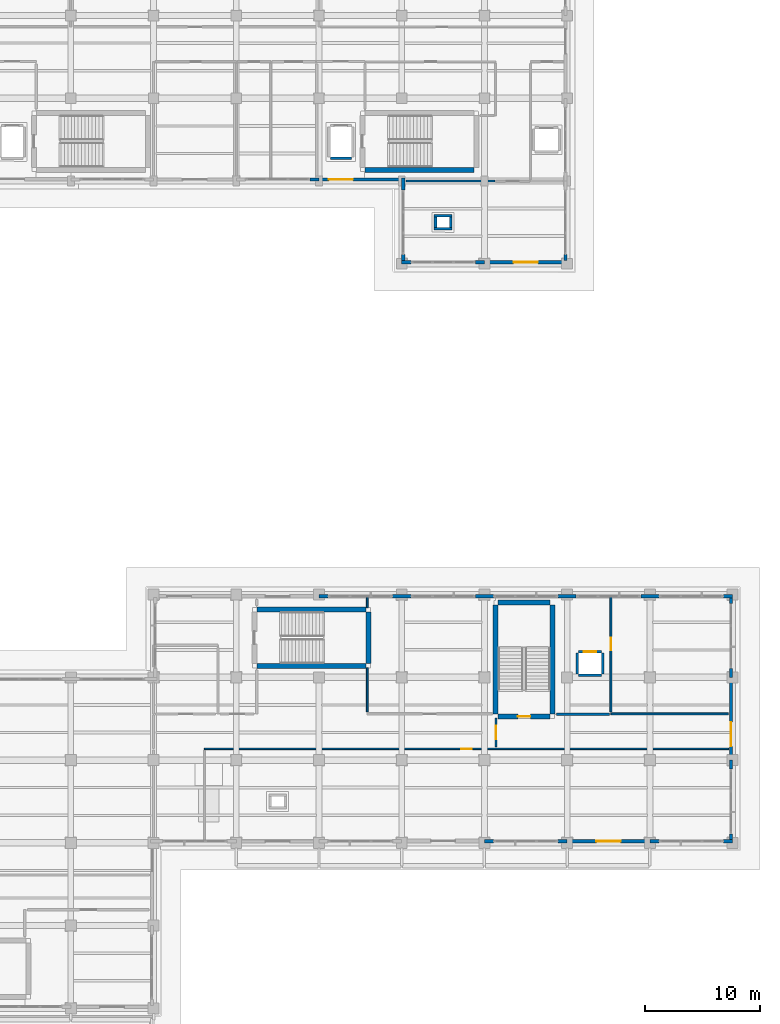
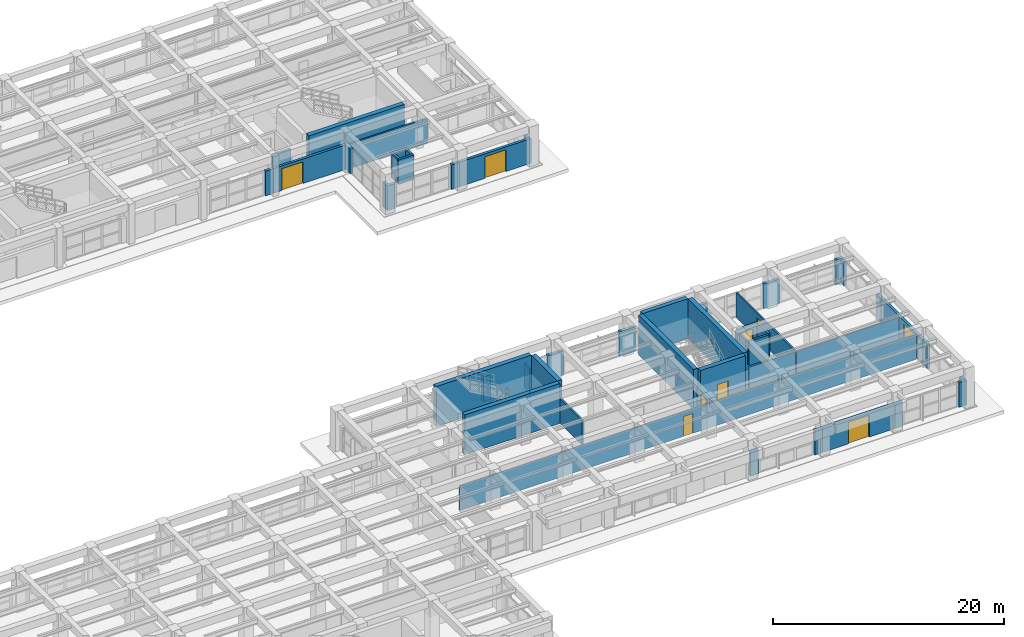
# One storey, part 47 of 64: 49 walls, 9 doors, 9 openings.
"""IFC4 building model written with IfcOpenShell, lengths in metres."""

from ifc_helpers import new_model, si_unit, direction, frame, frame_2d, origin, place, context, subcontext, project, spatial, rectangle, extrude, material, layer, layer_set, type_object, element, fill, save


model = new_model("IFC4")

# Units and contexts
model_context = context("Model", 3, precision=1e-05, world=origin(), true_north=direction((0.0, 1.0)))
body_context = subcontext(model_context, "Body", "Model", "MODEL_VIEW")
ifc_project = project(units=[si_unit("LENGTHUNIT", "METRE"), si_unit("AREAUNIT", "SQUARE_METRE"), si_unit("VOLUMEUNIT", "CUBIC_METRE"), si_unit("PLANEANGLEUNIT", "RADIAN"), si_unit("MASSUNIT", "GRAM", prefix="KILO")], contexts=[model_context])

# Site, building, storey
site_placement = place(None, origin())
site = spatial("IfcSite", under=ifc_project, at=site_placement, CompositionType="ELEMENT")
building_placement = place(site_placement, origin())
building = spatial("IfcBuilding", under=site, at=building_placement, Name="Solenvale Faculty of Natural Sciences", CompositionType="ELEMENT")
storey_placement = place(building_placement, origin())
storey = spatial("IfcBuildingStorey", under=building, at=storey_placement, Name="L00", CompositionType="ELEMENT", Elevation=0.0)

# Wall, opening, door
ifc_material_1 = material(Name="Precast concrete 40 MPa", Category="concrete")
ifc_layer_1 = layer(ifc_material_1, 0.2451171875)
ifc_layer_set_1 = layer_set([ifc_layer_1], Name="Precast concrete 40 MPa")
wall_type_1 = type_object("IfcWallType", Name="WL-EXT-PRC-245", PredefinedType="STANDARD", material=ifc_layer_set_1)
wall_1_placement = place(storey_placement, frame((136.800048828125, 93.722412109375, 0.0), z_axis=(0.0, 0.0, 1.0), x_axis=(-1.0, 0.0, 0.0)))
wall_1 = element("IfcWall", 1, at=wall_1_placement, inside=storey, type_object=wall_type_1, Name="L00 Exterior Wall 12.8", PredefinedType="STANDARD", context=body_context, shape_type="SweptSolid", body=[
    extrude(rectangle(XDim=7.199951171875, YDim=0.2451171875, at=frame_2d((3.60009765625, 0.0))), origin(), (0.0, 0.0, 1.0), 2.60009765625),
])
opening_1_placement = place(wall_1_placement, frame((4.25, 0.0, 0.0)))
opening_1 = element("IfcOpeningElement", 2, at=opening_1_placement, cuts=wall_1, Name="Opening EX-16", PredefinedType="OPENING", context=body_context, shape_type="SweptSolid", body=[
    extrude(rectangle(XDim=2.10009765625, YDim=2.300048828125, at=frame_2d((1.050048828125, 1.14990234375))), frame((0.0, 0.132568359375, 0.0), z_axis=(0.0, -1.0, 0.0), x_axis=(1.0, 0.0, 0.0)), (0.0, 0.0, 1.0), 0.26513671875),
])
ifc_material_2 = material(Name="Anodised bronze aluminium", Category="aluminium")
door_type_1 = type_object("IfcDoorType", Name="DR-EXT-2100x2300", OperationType="NOTDEFINED", PredefinedType="DOOR", material=ifc_material_2)
door_1_placement = place(opening_1_placement, origin())
door_1 = element("IfcDoor", 3, at=door_1_placement, inside=storey, type_object=door_type_1, Name="L00 Exterior Exit Door EX-16", OperationType="DOUBLE_DOOR_SINGLE_SWING", OverallHeight=2.300048828125, OverallWidth=2.10009765625, PredefinedType="DOOR", context=body_context, shape_type="SweptSolid", body=[
    extrude(rectangle(XDim=2.10009765625, YDim=2.300048828125, at=frame_2d((1.050048828125, 1.14990234375))), frame((0.0, 0.02490234375, 0.0), z_axis=(0.0, -1.0, 0.0), x_axis=(1.0, 0.0, 0.0)), (0.0, 0.0, 1.0), 0.050048828125),
])
fill(opening_1, door_1)

ifc_layer_2 = layer(ifc_material_1, 0.264892578125)
ifc_layer_set_2 = layer_set([ifc_layer_2], Name="Precast concrete 40 MPa")
wall_type_2 = type_object("IfcWallType", Name="WL-EXT-PRC-265", PredefinedType="STANDARD", material=ifc_layer_set_2)
wall_2_placement = place(storey_placement, frame((165.467529296875, 50.39990234375, 0.0), z_axis=(0.0, 0.0, 1.0), x_axis=(0.0, -1.0, 0.0)))
wall_2 = element("IfcWall", 4, at=wall_2_placement, inside=storey, type_object=wall_type_2, Name="L00 Exterior Wall 6.2", PredefinedType="STANDARD", context=body_context, shape_type="SweptSolid", body=[
    extrude(rectangle(XDim=7.199951171875, YDim=0.264892578125, at=frame_2d((3.60009765625, 0.0))), origin(), (0.0, 0.0, 1.0), 2.60009765625),
])
opening_2_placement = place(wall_2_placement, frame((3.89990234375, 0.0, 0.0)))
opening_2 = element("IfcOpeningElement", 5, at=opening_2_placement, cuts=wall_2, Name="Opening EX-09", PredefinedType="OPENING", context=body_context, shape_type="SweptSolid", body=[
    extrude(rectangle(XDim=2.10009765625, YDim=2.300048828125, at=frame_2d((1.050048828125, 1.14990234375))), frame((0.0, 0.142333984375, 0.0), z_axis=(0.0, -1.0, 0.0), x_axis=(1.0, 0.0, 0.0)), (0.0, 0.0, 1.0), 0.284912109375),
])
door_2_placement = place(opening_2_placement, origin())
door_2 = element("IfcDoor", 6, at=door_2_placement, inside=storey, type_object=door_type_1, Name="L00 Exterior Exit Door EX-09", OperationType="DOUBLE_DOOR_SINGLE_SWING", OverallHeight=2.300048828125, OverallWidth=2.10009765625, PredefinedType="DOOR", context=body_context, shape_type="SweptSolid", body=[
    extrude(rectangle(XDim=2.10009765625, YDim=2.300048828125, at=frame_2d((1.050048828125, 1.14990234375))), frame((0.0, 0.02490234375, 0.0), z_axis=(0.0, -1.0, 0.0), x_axis=(1.0, 0.0, 0.0)), (0.0, 0.0, 1.0), 0.050048828125),
])
fill(opening_2, door_2)

wall_3_placement = place(storey_placement, frame((151.199951171875, 86.532470703125, 0.0), z_axis=(0.0, 0.0, 1.0), x_axis=(-1.0, 0.0, 0.0)))
wall_3 = element("IfcWall", 7, at=wall_3_placement, inside=storey, type_object=wall_type_2, Name="L00 Exterior Wall 14.2", PredefinedType="STANDARD", context=body_context, shape_type="SweptSolid", body=[
    extrude(rectangle(XDim=7.199951171875, YDim=0.264892578125, at=frame_2d((3.60009765625, 0.0))), origin(), (0.0, 0.0, 1.0), 2.60009765625),
])
opening_3_placement = place(wall_3_placement, frame((2.550048828125, 0.0, 0.0)))
opening_3 = element("IfcOpeningElement", 8, at=opening_3_placement, cuts=wall_3, Name="Opening EX-17", PredefinedType="OPENING", context=body_context, shape_type="SweptSolid", body=[
    extrude(rectangle(XDim=2.10009765625, YDim=2.300048828125, at=frame_2d((1.050048828125, 1.14990234375))), frame((0.0, 0.142333984375, 0.0), z_axis=(0.0, -1.0, 0.0), x_axis=(1.0, 0.0, 0.0)), (0.0, 0.0, 1.0), 0.284912109375),
])
door_3_placement = place(opening_3_placement, origin())
door_3 = element("IfcDoor", 9, at=door_3_placement, inside=storey, type_object=door_type_1, Name="L00 Exterior Exit Door EX-17", OperationType="DOUBLE_DOOR_SINGLE_SWING", OverallHeight=2.300048828125, OverallWidth=2.10009765625, PredefinedType="DOOR", context=body_context, shape_type="SweptSolid", body=[
    extrude(rectangle(XDim=2.10009765625, YDim=2.300048828125, at=frame_2d((1.050048828125, 1.14990234375))), frame((0.0, 0.02490234375, 0.0), z_axis=(0.0, -1.0, 0.0), x_axis=(1.0, 0.0, 0.0)), (0.0, 0.0, 1.0), 0.050048828125),
])
fill(opening_3, door_3)

ifc_layer_3 = layer(ifc_material_1, 0.284912109375)
ifc_layer_set_3 = layer_set([ifc_layer_3], Name="Precast concrete 40 MPa")
wall_type_3 = type_object("IfcWallType", Name="WL-EXT-PRC-285", PredefinedType="STANDARD", material=ifc_layer_set_3)
wall_4_placement = place(storey_placement, frame((158.39990234375, 36.142578125, 0.0), z_axis=(0.0, 0.0, 1.0), x_axis=(-1.0, 0.0, 0.0)))
wall_4 = element("IfcWall", 10, at=wall_4_placement, inside=storey, type_object=wall_type_3, Name="L00 Exterior Wall 5.6", PredefinedType="STANDARD", context=body_context, shape_type="SweptSolid", body=[
    extrude(rectangle(XDim=7.199951171875, YDim=0.284912109375, at=frame_2d((3.60009765625, 0.0))), origin(), (0.0, 0.0, 1.0), 2.60009765625),
])
opening_4_placement = place(wall_4_placement, frame((2.550048828125, 0.0, 0.0)))
opening_4 = element("IfcOpeningElement", 11, at=opening_4_placement, cuts=wall_4, Name="Opening EX-08", PredefinedType="OPENING", context=body_context, shape_type="SweptSolid", body=[
    extrude(rectangle(XDim=2.10009765625, YDim=2.300048828125, at=frame_2d((1.050048828125, 1.14990234375))), frame((0.0, 0.15234375, 0.0), z_axis=(0.0, -1.0, 0.0), x_axis=(1.0, 0.0, 0.0)), (0.0, 0.0, 1.0), 0.304931640625),
])
door_4_placement = place(opening_4_placement, origin())
door_4 = element("IfcDoor", 12, at=door_4_placement, inside=storey, type_object=door_type_1, Name="L00 Exterior Exit Door EX-08", OperationType="DOUBLE_DOOR_SINGLE_SWING", OverallHeight=2.300048828125, OverallWidth=2.10009765625, PredefinedType="DOOR", context=body_context, shape_type="SweptSolid", body=[
    extrude(rectangle(XDim=2.10009765625, YDim=2.300048828125, at=frame_2d((1.050048828125, 1.14990234375))), frame((0.0, 0.02490234375, 0.0), z_axis=(0.0, -1.0, 0.0), x_axis=(1.0, 0.0, 0.0)), (0.0, 0.0, 1.0), 0.050048828125),
])
fill(opening_4, door_4)

# Walls
wall_5_placement = place(storey_placement, frame((144.0, 36.142578125, 0.0), z_axis=(0.0, 0.0, 1.0), x_axis=(1.0, 0.0, 0.0)))
element("IfcWall", 13, at=wall_5_placement, inside=storey, type_object=wall_type_3, Name="L00 Facade Closure Pier 5.B5-L", PredefinedType="STANDARD", context=body_context, shape_type="SweptSolid", body=[
    extrude(rectangle(XDim=0.7880859375, YDim=0.284912109375, at=frame_2d((0.39404296875, 0.0))), origin(), (0.0, 0.0, 1.0), 2.60009765625),
])
wall_6_placement = place(storey_placement, frame((150.412109375, 36.142578125, 0.0), z_axis=(0.0, 0.0, 1.0), x_axis=(1.0, 0.0, 0.0)))
element("IfcWall", 14, at=wall_6_placement, inside=storey, type_object=wall_type_3, Name="L00 Facade Closure Pier 5.B5-R", PredefinedType="STANDARD", context=body_context, shape_type="SweptSolid", body=[
    extrude(rectangle(XDim=0.787841796875, YDim=0.284912109375, at=frame_2d((0.39404296875, 0.0))), origin(), (0.0, 0.0, 1.0), 2.60009765625),
])
for number, where, z_axis, x_axis, name in (
    (15, (158.39990234375, 36.142578125, 0.0), (0.0, 0.0, 1.0), (1.0, 0.0, 0.0), "L00 Facade Closure Pier 5.B7-L"),
    (16, (164.81201171875, 36.142578125, 0.0), (0.0, 0.0, 1.0), (1.0, 0.0, 0.0), "L00 Facade Closure Pier 5.B7-R"),
):
    element("IfcWall", number, at=place(storey_placement, frame(where, z_axis=z_axis, x_axis=x_axis)), inside=storey, type_object=wall_type_3, Name=name, PredefinedType="STANDARD", context=body_context, shape_type="SweptSolid", body=[
        extrude(rectangle(XDim=0.7880859375, YDim=0.284912109375, at=frame_2d((0.39404296875, 0.0))), origin(), (0.0, 0.0, 1.0), 2.60009765625),
    ])
wall_7_placement = place(storey_placement, frame((165.45751953125, 36.284912109375, 0.0), z_axis=(0.0, 0.0, 1.0), x_axis=(0.0, 1.0, 0.0)))
element("IfcWall", 17, at=wall_7_placement, inside=storey, type_object=wall_type_3, Name="L00 Facade Closure Pier 6.B1-L", PredefinedType="STANDARD", context=body_context, shape_type="SweptSolid", body=[
    extrude(rectangle(XDim=0.503173828125, YDim=0.284912109375, at=frame_2d((0.25146484375, 0.0))), origin(), (0.0, 0.0, 1.0), 2.60009765625),
])
wall_8_placement = place(storey_placement, frame((165.45751953125, 42.412109375, 0.0), z_axis=(0.0, 0.0, 1.0), x_axis=(0.0, 1.0, 0.0)))
element("IfcWall", 18, at=wall_8_placement, inside=storey, type_object=wall_type_3, Name="L00 Facade Closure Pier 6.B1-R", PredefinedType="STANDARD", context=body_context, shape_type="SweptSolid", body=[
    extrude(rectangle(XDim=0.787841796875, YDim=0.284912109375, at=frame_2d((0.39404296875, 0.0))), origin(), (0.0, 0.0, 1.0), 2.60009765625),
])
wall_9_placement = place(storey_placement, frame((165.45751953125, 50.39990234375, 0.0), z_axis=(0.0, 0.0, 1.0), x_axis=(0.0, 1.0, 0.0)))
element("IfcWall", 19, at=wall_9_placement, inside=storey, type_object=wall_type_3, Name="L00 Facade Closure Pier 6.B3-L", PredefinedType="STANDARD", context=body_context, shape_type="SweptSolid", body=[
    extrude(rectangle(XDim=0.7880859375, YDim=0.284912109375, at=frame_2d((0.39404296875, 0.0))), origin(), (0.0, 0.0, 1.0), 2.60009765625),
])
wall_10_placement = place(storey_placement, frame((165.45751953125, 56.81201171875, 0.0), z_axis=(0.0, 0.0, 1.0), x_axis=(0.0, 1.0, 0.0)))
element("IfcWall", 20, at=wall_10_placement, inside=storey, type_object=wall_type_3, Name="L00 Facade Closure Pier 6.B3-R", PredefinedType="STANDARD", context=body_context, shape_type="SweptSolid", body=[
    extrude(rectangle(XDim=0.5029296875, YDim=0.284912109375, at=frame_2d((0.25146484375, 0.0))), origin(), (0.0, 0.0, 1.0), 2.60009765625),
])
wall_11_placement = place(storey_placement, frame((165.60009765625, 57.45751953125, 0.0), z_axis=(0.0, 0.0, 1.0), x_axis=(-1.0, 0.0, 0.0)))
element("IfcWall", 21, at=wall_11_placement, inside=storey, type_object=wall_type_3, Name="L00 Facade Closure Pier 7.B1-L", PredefinedType="STANDARD", context=body_context, shape_type="SweptSolid", body=[
    extrude(rectangle(XDim=0.7880859375, YDim=0.284912109375, at=frame_2d((0.39404296875, 0.0))), origin(), (0.0, 0.0, 1.0), 2.60009765625),
])
for number, where, z_axis, x_axis, name in (
    (22, (159.18798828125, 57.45751953125, 0.0), (0.0, 0.0, 1.0), (-1.0, 0.0, 0.0), "L00 Facade Closure Pier 7.B1-R"),
    (23, (151.988037109375, 57.45751953125, 0.0), (0.0, 0.0, 1.0), (-1.0, 0.0, 0.0), "L00 Facade Closure Pier 7.B2-R"),
):
    element("IfcWall", number, at=place(storey_placement, frame(where, z_axis=z_axis, x_axis=x_axis)), inside=storey, type_object=wall_type_3, Name=name, PredefinedType="STANDARD", context=body_context, shape_type="SweptSolid", body=[
        extrude(rectangle(XDim=1.575927734375, YDim=0.284912109375, at=frame_2d((0.7880859375, 0.0))), origin(), (0.0, 0.0, 1.0), 2.60009765625),
    ])
wall_12_placement = place(storey_placement, frame((144.7880859375, 57.45751953125, 0.0), z_axis=(0.0, 0.0, 1.0), x_axis=(-1.0, 0.0, 0.0)))
element("IfcWall", 24, at=wall_12_placement, inside=storey, type_object=wall_type_3, Name="L00 Facade Closure Pier 7.B3-R", PredefinedType="STANDARD", context=body_context, shape_type="SweptSolid", body=[
    extrude(rectangle(XDim=1.576171875, YDim=0.284912109375, at=frame_2d((0.7880859375, 0.0))), origin(), (0.0, 0.0, 1.0), 2.60009765625),
])
wall_13_placement = place(storey_placement, frame((137.587890625, 57.45751953125, 0.0), z_axis=(0.0, 0.0, 1.0), x_axis=(-1.0, 0.0, 0.0)))
element("IfcWall", 25, at=wall_13_placement, inside=storey, type_object=wall_type_3, Name="L00 Facade Closure Pier 7.B4-R", PredefinedType="STANDARD", context=body_context, shape_type="SweptSolid", body=[
    extrude(rectangle(XDim=1.575927734375, YDim=0.284912109375, at=frame_2d((0.7880859375, 0.0))), origin(), (0.0, 0.0, 1.0), 2.60009765625),
])
wall_14_placement = place(storey_placement, frame((130.387939453125, 57.45751953125, 0.0), z_axis=(0.0, 0.0, 1.0), x_axis=(-1.0, 0.0, 0.0)))
element("IfcWall", 26, at=wall_14_placement, inside=storey, type_object=wall_type_3, Name="L00 Facade Closure Pier 7.B5-R", PredefinedType="STANDARD", context=body_context, shape_type="SweptSolid", body=[
    extrude(rectangle(XDim=0.787841796875, YDim=0.284912109375, at=frame_2d((0.39404296875, 0.0))), origin(), (0.0, 0.0, 1.0), 2.60009765625),
])
wall_15_placement = place(storey_placement, frame((128.81201171875, 93.742431640625, 0.0), z_axis=(0.0, 0.0, 1.0), x_axis=(1.0, 0.0, 0.0)))
element("IfcWall", 27, at=wall_15_placement, inside=storey, type_object=wall_type_3, Name="L00 Facade Closure Pier 12.B7-R", PredefinedType="STANDARD", context=body_context, shape_type="SweptSolid", body=[
    extrude(rectangle(XDim=0.7880859375, YDim=0.284912109375, at=frame_2d((0.39404296875, 0.0))), origin(), (0.0, 0.0, 1.0), 2.60009765625),
])
wall_16_placement = place(storey_placement, frame((136.9423828125, 93.844970703125, 0.0), z_axis=(0.0, 0.0, 1.0), x_axis=(0.0, -1.0, 0.0)))
element("IfcWall", 28, at=wall_16_placement, inside=storey, type_object=wall_type_3, Name="L00 Facade Closure Pier 13.B1-L", PredefinedType="STANDARD", context=body_context, shape_type="SweptSolid", body=[
    extrude(rectangle(XDim=1.032958984375, YDim=0.284912109375, at=frame_2d((0.5166015625, 0.0))), origin(), (0.0, 0.0, 1.0), 2.60009765625),
])
wall_17_placement = place(storey_placement, frame((136.9423828125, 87.18798828125, 0.0), z_axis=(0.0, 0.0, 1.0), x_axis=(0.0, -1.0, 0.0)))
element("IfcWall", 29, at=wall_17_placement, inside=storey, type_object=wall_type_3, Name="L00 Facade Closure Pier 13.B1-R", PredefinedType="STANDARD", context=body_context, shape_type="SweptSolid", body=[
    extrude(rectangle(XDim=0.5029296875, YDim=0.284912109375, at=frame_2d((0.25146484375, 0.0))), origin(), (0.0, 0.0, 1.0), 2.60009765625),
])
wall_18_placement = place(storey_placement, frame((136.800048828125, 86.54248046875, 0.0), z_axis=(0.0, 0.0, 1.0), x_axis=(1.0, 0.0, 0.0)))
element("IfcWall", 30, at=wall_18_placement, inside=storey, type_object=wall_type_3, Name="L00 Facade Closure Pier 14.B1-L", PredefinedType="STANDARD", context=body_context, shape_type="SweptSolid", body=[
    extrude(rectangle(XDim=0.787841796875, YDim=0.284912109375, at=frame_2d((0.39404296875, 0.0))), origin(), (0.0, 0.0, 1.0), 2.60009765625),
])
wall_19_placement = place(storey_placement, frame((143.2119140625, 86.54248046875, 0.0), z_axis=(0.0, 0.0, 1.0), x_axis=(1.0, 0.0, 0.0)))
element("IfcWall", 31, at=wall_19_placement, inside=storey, type_object=wall_type_3, Name="L00 Facade Closure Pier 14.B1-R", PredefinedType="STANDARD", context=body_context, shape_type="SweptSolid", body=[
    extrude(rectangle(XDim=0.7880859375, YDim=0.284912109375, at=frame_2d((0.39404296875, 0.0))), origin(), (0.0, 0.0, 1.0), 2.60009765625),
])
wall_20_placement = place(storey_placement, frame((151.0576171875, 86.6650390625, 0.0), z_axis=(0.0, 0.0, 1.0), x_axis=(0.0, 1.0, 0.0)))
element("IfcWall", 32, at=wall_20_placement, inside=storey, type_object=wall_type_3, Name="L00 Facade Closure Pier 15.B1-L", PredefinedType="STANDARD", context=body_context, shape_type="SweptSolid", body=[
    extrude(rectangle(XDim=0.52294921875, YDim=0.284912109375, at=frame_2d((0.261474609375, 0.0))), origin(), (0.0, 0.0, 1.0), 2.60009765625),
])

# Wall, opening, door
ifc_material_3 = material(Name="Gypsum fire-rated shaftwall")
ifc_layer_4 = layer(ifc_material_3, 0.205078125)
ifc_layer_set_4 = layer_set([ifc_layer_4], Name="Gypsum fire-rated shaftwall")
wall_type_4 = type_object("IfcWallType", Name="WL-FFL-205", PredefinedType="PARTITIONING", material=ifc_layer_set_4)
wall_21_placement = place(storey_placement, frame((145.0, 44.35693359375, 0.0), z_axis=(0.0, 0.0, 1.0), x_axis=(0.0, 1.0, 0.0)))
wall_21 = element("IfcWall", 33, at=wall_21_placement, inside=storey, type_object=wall_type_4, Name="L00 Protected Exit Passage ST-02 Partition 1", PredefinedType="PARTITIONING", context=body_context, shape_type="SweptSolid", body=[
    extrude(rectangle(XDim=2.4931640625, YDim=0.205078125, at=frame_2d((1.24658203125, 0.0))), origin(), (0.0, 0.0, 1.0), 2.60009765625),
])
opening_5_placement = place(wall_21_placement, frame((0.64697265625, 0.0, 0.0)))
opening_5 = element("IfcOpeningElement", 34, at=opening_5_placement, cuts=wall_21, Name="Opening D-L00-33", PredefinedType="OPENING", context=body_context, shape_type="SweptSolid", body=[
    extrude(rectangle(XDim=1.199951171875, YDim=2.14990234375, at=frame_2d((0.60009765625, 1.074951171875))), frame((0.0, 0.112548828125, 0.0), z_axis=(0.0, -1.0, 0.0), x_axis=(1.0, 0.0, 0.0)), (0.0, 0.0, 1.0), 0.22509765625),
])
ifc_material_4 = material(Name="Galvanised steel S355", Category="steel")
door_type_2 = type_object("IfcDoorType", Name="DR-FFL-1200x2150", OperationType="NOTDEFINED", PredefinedType="DOOR", material=ifc_material_4)
door_5_placement = place(opening_5_placement, origin())
door_5 = element("IfcDoor", 35, at=door_5_placement, inside=storey, type_object=door_type_2, Name="L00 Protected Exit Passage ST-02 Door", OperationType="SINGLE_SWING_LEFT", OverallHeight=2.14990234375, OverallWidth=1.199951171875, PredefinedType="DOOR", context=body_context, shape_type="SweptSolid", body=[
    extrude(rectangle(XDim=1.199951171875, YDim=2.14990234375, at=frame_2d((0.60009765625, 1.074951171875))), frame((0.0, 0.02490234375, 0.0), z_axis=(0.0, -1.0, 0.0), x_axis=(1.0, 0.0, 0.0)), (0.0, 0.0, 1.0), 0.050048828125),
])
fill(opening_5, door_5)

# Wall
wall_22_placement = place(storey_placement, frame((150.25390625, 47.199951171875, 0.0), z_axis=(0.0, 0.0, 1.0), x_axis=(1.0, 0.0, 0.0)))
element("IfcWall", 36, at=wall_22_placement, inside=storey, type_object=wall_type_4, Name="L00 Protected Exit Passage ST-02 Partition 2", PredefinedType="PARTITIONING", context=body_context, shape_type="SweptSolid", body=[
    extrude(rectangle(XDim=4.632080078125, YDim=0.205078125, at=frame_2d((2.31591796875, 0.0))), origin(), (0.0, 0.0, 1.0), 2.60009765625),
])

# Wall, opening, door
ifc_material_5 = material(Name="Acoustic stud gypsum partition")
ifc_layer_5 = layer(ifc_material_5, 0.125)
ifc_layer_set_5 = layer_set([ifc_layer_5], Name="Acoustic stud gypsum partition")
wall_type_5 = type_object("IfcWallType", Name="WL-OFF-125", PredefinedType="PARTITIONING", material=ifc_layer_set_5)
wall_23_placement = place(storey_placement, frame((119.6201171875, 44.179931640625, 0.0), z_axis=(0.0, 0.0, 1.0), x_axis=(1.0, 0.0, 0.0)))
wall_23 = element("IfcWall", 37, at=wall_23_placement, inside=storey, type_object=wall_type_5, Name="L00 Natural History Specimen Exhibition Room Partition 1", PredefinedType="PARTITIONING", context=body_context, shape_type="SweptSolid", body=[
    extrude(rectangle(XDim=45.640869140625, YDim=0.125, at=frame_2d((22.8203125, 0.0))), origin(), (0.0, 0.0, 1.0), 2.60009765625),
])
opening_6_placement = place(wall_23_placement, frame((22.35009765625, 0.0, 0.0)))
opening_6 = element("IfcOpeningElement", 38, at=opening_6_placement, cuts=wall_23, Name="Opening D-L00-17", PredefinedType="OPENING", context=body_context, shape_type="SweptSolid", body=[
    extrude(rectangle(XDim=0.93994140625, YDim=2.10009765625, at=frame_2d((0.469970703125, 1.050048828125))), frame((0.0, 0.072509765625, 0.0), z_axis=(0.0, -1.0, 0.0), x_axis=(1.0, 0.0, 0.0)), (0.0, 0.0, 1.0), 0.14501953125),
])
ifc_material_6 = material(Name="Oak acoustic timber leaf", Category="wood")
door_type_3 = type_object("IfcDoorType", Name="DR-OFF-0940x2100", OperationType="NOTDEFINED", PredefinedType="DOOR", material=ifc_material_6)
door_6_placement = place(opening_6_placement, origin())
door_6 = element("IfcDoor", 39, at=door_6_placement, inside=storey, type_object=door_type_3, Name="L00 Natural History Specimen Exhibition Room Door", OperationType="SINGLE_SWING_LEFT", OverallHeight=2.10009765625, OverallWidth=0.93994140625, PredefinedType="DOOR", context=body_context, shape_type="SweptSolid", body=[
    extrude(rectangle(XDim=0.93994140625, YDim=2.10009765625, at=frame_2d((0.469970703125, 1.050048828125))), frame((0.0, 0.02490234375, 0.0), z_axis=(0.0, -1.0, 0.0), x_axis=(1.0, 0.0, 0.0)), (0.0, 0.0, 1.0), 0.050048828125),
])
fill(opening_6, door_6)

# Wall
ifc_material_7 = material(Name="Acoustic double-stud gypsum partition")
ifc_layer_6 = layer(ifc_material_7, 0.1650390625)
ifc_layer_set_6 = layer_set([ifc_layer_6], Name="Acoustic double-stud gypsum partition")
wall_type_6 = type_object("IfcWallType", Name="WL-SEM-165", PredefinedType="PARTITIONING", material=ifc_layer_set_6)
wall_24_placement = place(storey_placement, frame((165.239990234375, 47.219970703125, 0.0), z_axis=(0.0, 0.0, 1.0), x_axis=(-1.0, 0.0, 0.0)))
element("IfcWall", 40, at=wall_24_placement, inside=storey, type_object=wall_type_6, Name="L00 Academic Bookshop and Study Commons Partition 2", PredefinedType="PARTITIONING", context=body_context, shape_type="SweptSolid", body=[
    extrude(rectangle(XDim=10.239990234375, YDim=0.1650390625, at=frame_2d((5.1201171875, 0.0))), origin(), (0.0, 0.0, 1.0), 2.60009765625),
])

# Wall, opening, door
wall_25_placement = place(storey_placement, frame((155.0, 47.39697265625, 0.0), z_axis=(0.0, 0.0, 1.0), x_axis=(0.0, 1.0, 0.0)))
wall_25 = element("IfcWall", 41, at=wall_25_placement, inside=storey, type_object=wall_type_6, Name="L00 Academic Bookshop and Study Commons Partition 3", PredefinedType="PARTITIONING", context=body_context, shape_type="SweptSolid", body=[
    extrude(rectangle(XDim=10.02099609375, YDim=0.1650390625, at=frame_2d((5.010498046875, 0.0))), origin(), (0.0, 0.0, 1.0), 2.60009765625),
])
opening_7_placement = place(wall_25_placement, frame((5.37109375, 0.0, 0.0)))
opening_7 = element("IfcOpeningElement", 42, at=opening_7_placement, cuts=wall_25, Name="Opening D-L00-16", PredefinedType="OPENING", context=body_context, shape_type="SweptSolid", body=[
    extrude(rectangle(XDim=1.080078125, YDim=2.14990234375, at=frame_2d((0.5400390625, 1.074951171875))), frame((0.0, 0.092529296875, 0.0), z_axis=(0.0, -1.0, 0.0), x_axis=(1.0, 0.0, 0.0)), (0.0, 0.0, 1.0), 0.18505859375),
])
door_type_4 = type_object("IfcDoorType", Name="DR-SEM-1080x2150", OperationType="NOTDEFINED", PredefinedType="DOOR", material=ifc_material_6)
door_7_placement = place(opening_7_placement, origin())
door_7 = element("IfcDoor", 43, at=door_7_placement, inside=storey, type_object=door_type_4, Name="L00 Academic Bookshop and Study Commons Door", OperationType="SINGLE_SWING_RIGHT", OverallHeight=2.14990234375, OverallWidth=1.080078125, PredefinedType="DOOR", context=body_context, shape_type="SweptSolid", body=[
    extrude(rectangle(XDim=1.080078125, YDim=2.14990234375, at=frame_2d((0.5400390625, 1.074951171875))), frame((0.0, 0.02490234375, 0.0), z_axis=(0.0, -1.0, 0.0), x_axis=(1.0, 0.0, 0.0)), (0.0, 0.0, 1.0), 0.050048828125),
])
fill(opening_7, door_7)

# Walls
wall_26_placement = place(storey_placement, frame((137.179931640625, 93.60009765625, 0.0), z_axis=(0.0, 0.0, 1.0), x_axis=(1.0, 0.0, 0.0)))
element("IfcWall", 44, at=wall_26_placement, inside=storey, type_object=wall_type_6, Name="L00 Seminar Room Partition 33", PredefinedType="PARTITIONING", context=body_context, shape_type="SweptSolid", body=[
    extrude(rectangle(XDim=7.72509765625, YDim=0.1650390625, at=frame_2d((3.862548828125, 0.0))), origin(), (0.0, 0.0, 1.0), 2.60009765625),
])
ifc_layer_7 = layer(ifc_material_7, 0.169921875)
ifc_layer_set_7 = layer_set([ifc_layer_7], Name="Acoustic double-stud gypsum partition")
wall_type_7 = type_object("IfcWallType", Name="WL-SEM-170", PredefinedType="PARTITIONING", material=ifc_layer_set_7)
wall_27_placement = place(storey_placement, frame((133.800048828125, 47.402099609375, 0.0), z_axis=(0.0, 0.0, 1.0), x_axis=(0.0, 1.0, 0.0)))
element("IfcWall", 45, at=wall_27_placement, inside=storey, type_object=wall_type_7, Name="L00 Learning Commons Partition 8", PredefinedType="PARTITIONING", context=body_context, shape_type="SweptSolid", body=[
    extrude(rectangle(XDim=3.847900390625, YDim=0.169921875, at=frame_2d((1.923828125, 0.0))), origin(), (0.0, 0.0, 1.0), 2.60009765625),
])
wall_28_placement = place(storey_placement, frame((133.800048828125, 56.449951171875, 0.0), z_axis=(0.0, 0.0, 1.0), x_axis=(0.0, 1.0, 0.0)))
element("IfcWall", 46, at=wall_28_placement, inside=storey, type_object=wall_type_7, Name="L00 Learning Commons Partition 34", PredefinedType="PARTITIONING", context=body_context, shape_type="SweptSolid", body=[
    extrude(rectangle(XDim=0.968017578125, YDim=0.169921875, at=frame_2d((0.48388671875, 0.0))), origin(), (0.0, 0.0, 1.0), 2.60009765625),
])
ifc_material_8 = material(Name="Concrete 40 MPa", Category="concrete")
ifc_layer_8 = layer(ifc_material_8, 0.219970703125)
ifc_layer_set_8 = layer_set([ifc_layer_8], Name="Concrete 40 MPa")
wall_type_8 = type_object("IfcWallType", Name="WL-SHF-220", PredefinedType="STANDARD", material=ifc_layer_set_8)
wall_29_placement = place(storey_placement, frame((152.205078125, 50.570068359375, 0.0), z_axis=(0.0, 0.0, 1.0), x_axis=(1.0, 0.0, 0.0)))
element("IfcWall", 47, at=wall_29_placement, inside=storey, type_object=wall_type_8, Name="Elevator LP-02 L00 Shaft Wall S", PredefinedType="STANDARD", context=body_context, shape_type="SweptSolid", body=[
    extrude(rectangle(XDim=1.989990234375, YDim=0.219970703125, at=frame_2d((0.9951171875, 0.0))), origin(), (0.0, 0.0, 1.0), 2.60009765625),
])

# Wall, opening, door
wall_30_placement = place(storey_placement, frame((152.205078125, 52.6298828125, 0.0), z_axis=(0.0, 0.0, 1.0), x_axis=(1.0, 0.0, 0.0)))
wall_30 = element("IfcWall", 48, at=wall_30_placement, inside=storey, type_object=wall_type_8, Name="Elevator LP-02 L00 Shaft Wall N", PredefinedType="STANDARD", context=body_context, shape_type="SweptSolid", body=[
    extrude(rectangle(XDim=1.989990234375, YDim=0.219970703125, at=frame_2d((0.9951171875, 0.0))), origin(), (0.0, 0.0, 1.0), 2.60009765625),
])
opening_8_placement = place(wall_30_placement, frame((0.445068359375, 0.0, 0.0)))
opening_8 = element("IfcOpeningElement", 49, at=opening_8_placement, cuts=wall_30, Name="Opening LD-LP-02-L00", PredefinedType="OPENING", context=body_context, shape_type="SweptSolid", body=[
    extrude(rectangle(XDim=1.10009765625, YDim=2.14990234375, at=frame_2d((0.550048828125, 1.074951171875))), frame((0.0, 0.119873046875, 0.0), z_axis=(0.0, -1.0, 0.0), x_axis=(1.0, 0.0, 0.0)), (0.0, 0.0, 1.0), 0.239990234375),
])
ifc_material_9 = material(Name="Stainless steel Grade 304", Category="steel")
door_type_5 = type_object("IfcDoorType", Name="DR-LIFT-1100x2150", OperationType="NOTDEFINED", PredefinedType="DOOR", material=ifc_material_9)
door_8_placement = place(opening_8_placement, origin())
door_8 = element("IfcDoor", 50, at=door_8_placement, inside=storey, type_object=door_type_5, Name="Elevator LP-02 L00 Sliding Landing Door", OperationType="SLIDING_TO_RIGHT", OverallHeight=2.14990234375, OverallWidth=1.10009765625, PredefinedType="DOOR", context=body_context, shape_type="SweptSolid", body=[
    extrude(rectangle(XDim=1.10009765625, YDim=2.14990234375, at=frame_2d((0.550048828125, 1.074951171875))), frame((0.0, 0.02490234375, 0.0), z_axis=(0.0, -1.0, 0.0), x_axis=(1.0, 0.0, 0.0)), (0.0, 0.0, 1.0), 0.050048828125),
])
fill(opening_8, door_8)

# Walls
for number, where, z_axis, x_axis, name in (
    (51, (152.094970703125, 50.679931640625, 0.0), (0.0, 0.0, 1.0), (0.0, 1.0, 0.0), "Elevator LP-02 L00 Shaft Wall W"),
    (52, (154.304931640625, 50.679931640625, 0.0), (0.0, 0.0, 1.0), (0.0, 1.0, 0.0), "Elevator LP-02 L00 Shaft Wall E"),
):
    element("IfcWall", number, at=place(storey_placement, frame(where, z_axis=z_axis, x_axis=x_axis)), inside=storey, type_object=wall_type_8, Name=name, PredefinedType="STANDARD", context=body_context, shape_type="SweptSolid", body=[
        extrude(rectangle(XDim=1.840087890625, YDim=0.219970703125, at=frame_2d((0.919921875, 0.0))), origin(), (0.0, 0.0, 1.0), 2.60009765625),
    ])
wall_31_placement = place(storey_placement, frame((130.580078125, 95.570068359375, 0.0), z_axis=(0.0, 0.0, 1.0), x_axis=(1.0, 0.0, 0.0)))
element("IfcWall", 53, at=wall_31_placement, inside=storey, type_object=wall_type_8, Name="Elevator LF-02 L00 Shaft Wall S", PredefinedType="STANDARD", context=body_context, shape_type="SweptSolid", body=[
    extrude(rectangle(XDim=1.83984375, YDim=0.219970703125, at=frame_2d((0.919921875, 0.0))), origin(), (0.0, 0.0, 1.0), 2.60009765625),
])
for number, where, z_axis, x_axis, name in (
    (54, (139.6298828125, 89.43994140625, 0.0), (0.0, 0.0, 1.0), (1.0, 0.0, 0.0), "L00 Service Riser Shaft 10 Wall S"),
    (55, (139.6298828125, 90.56005859375, 0.0), (0.0, 0.0, 1.0), (1.0, 0.0, 0.0), "L00 Service Riser Shaft 10 Wall N"),
):
    element("IfcWall", number, at=place(storey_placement, frame(where, z_axis=z_axis, x_axis=x_axis)), inside=storey, type_object=wall_type_8, Name=name, PredefinedType="STANDARD", context=body_context, shape_type="SweptSolid", body=[
        extrude(rectangle(XDim=1.5400390625, YDim=0.219970703125, at=frame_2d((0.77001953125, 0.0))), origin(), (0.0, 0.0, 1.0), 2.60009765625),
    ])
for number, where, z_axis, x_axis, name in (
    (56, (139.739990234375, 89.550048828125, 0.0), (0.0, 0.0, 1.0), (0.0, 1.0, 0.0), "L00 Service Riser Shaft 10 Wall W"),
    (57, (141.06005859375, 89.550048828125, 0.0), (0.0, 0.0, 1.0), (0.0, 1.0, 0.0), "L00 Service Riser Shaft 10 Wall E"),
):
    element("IfcWall", number, at=place(storey_placement, frame(where, z_axis=z_axis, x_axis=x_axis)), inside=storey, type_object=wall_type_8, Name=name, PredefinedType="STANDARD", context=body_context, shape_type="SweptSolid", body=[
        extrude(rectangle(XDim=0.89990234375, YDim=0.219970703125, at=frame_2d((0.449951171875, 0.0))), origin(), (0.0, 0.0, 1.0), 2.60009765625),
    ])

# Wall, opening, door
ifc_material_10 = material(Name="Concrete 50 MPa", Category="concrete")
ifc_layer_9 = layer(ifc_material_10, 0.43994140625)
ifc_layer_set_9 = layer_set([ifc_layer_9], Name="Concrete 50 MPa")
wall_type_9 = type_object("IfcWallType", Name="WL-SHR-440", PredefinedType="SHEAR", material=ifc_layer_set_9)
wall_32_placement = place(storey_placement, frame((145.199951171875, 46.97998046875, 0.0), z_axis=(0.0, 0.0, 1.0), x_axis=(1.0, 0.0, 0.0)))
wall_32 = element("IfcWall", 58, at=wall_32_placement, inside=storey, type_object=wall_type_9, Name="Core C2 L00 Shear Wall S", PredefinedType="SHEAR", context=body_context, shape_type="SweptSolid", body=[
    extrude(rectangle(XDim=4.5, YDim=0.43994140625, at=frame_2d((2.25, 0.0))), origin(), (0.0, 0.0, 1.0), 4.219970703125),
])
opening_9_placement = place(wall_32_placement, frame((1.699951171875, 0.0, 0.0)))
opening_9 = element("IfcOpeningElement", 59, at=opening_9_placement, cuts=wall_32, Name="Opening DS-C2-L00", PredefinedType="OPENING", context=body_context, shape_type="SweptSolid", body=[
    extrude(rectangle(XDim=1.10009765625, YDim=2.14990234375, at=frame_2d((0.550048828125, 1.074951171875))), frame((0.0, 0.22998046875, 0.0), z_axis=(0.0, -1.0, 0.0), x_axis=(1.0, 0.0, 0.0)), (0.0, 0.0, 1.0), 0.4599609375),
])
door_type_6 = type_object("IfcDoorType", Name="DR-STAIR-1100x2150", OperationType="NOTDEFINED", PredefinedType="DOOR", material=ifc_material_4)
door_9_placement = place(opening_9_placement, origin())
door_9 = element("IfcDoor", 60, at=door_9_placement, inside=storey, type_object=door_type_6, Name="L00 Stair ST-02 Fire Door", OperationType="SINGLE_SWING_RIGHT", OverallHeight=2.14990234375, OverallWidth=1.10009765625, PredefinedType="DOOR", context=body_context, shape_type="SweptSolid", body=[
    extrude(rectangle(XDim=1.10009765625, YDim=2.14990234375, at=frame_2d((0.550048828125, 1.074951171875))), frame((0.0, 0.02490234375, 0.0), z_axis=(0.0, -1.0, 0.0), x_axis=(1.0, 0.0, 0.0)), (0.0, 0.0, 1.0), 0.050048828125),
])
fill(opening_9, door_9)

# Walls
wall_33_placement = place(storey_placement, frame((145.199951171875, 56.919921875, 0.0), z_axis=(0.0, 0.0, 1.0), x_axis=(1.0, 0.0, 0.0)))
element("IfcWall", 61, at=wall_33_placement, inside=storey, type_object=wall_type_9, Name="Core C2 L00 Shear Wall N", PredefinedType="SHEAR", context=body_context, shape_type="SweptSolid", body=[
    extrude(rectangle(XDim=4.5, YDim=0.43994140625, at=frame_2d((2.25, 0.0))), origin(), (0.0, 0.0, 1.0), 4.219970703125),
])
for number, where, z_axis, x_axis, name in (
    (62, (144.97998046875, 47.199951171875, 0.0), (0.0, 0.0, 1.0), (0.0, 1.0, 0.0), "Core C2 L00 Shear Wall W"),
    (63, (149.919921875, 47.199951171875, 0.0), (0.0, 0.0, 1.0), (0.0, 1.0, 0.0), "Core C2 L00 Shear Wall E"),
    (64, (124.199951171875, 51.3798828125, 0.0), (0.0, 0.0, 1.0), (1.0, 0.0, 0.0), "Core C2B L00 Shear Wall S"),
    (65, (124.199951171875, 56.320068359375, 0.0), (0.0, 0.0, 1.0), (1.0, 0.0, 0.0), "Core C2B L00 Shear Wall N"),
):
    element("IfcWall", number, at=place(storey_placement, frame(where, z_axis=z_axis, x_axis=x_axis)), inside=storey, type_object=wall_type_9, Name=name, PredefinedType="SHEAR", context=body_context, shape_type="SweptSolid", body=[
        extrude(rectangle(XDim=9.5, YDim=0.43994140625, at=frame_2d((4.75, 0.0))), origin(), (0.0, 0.0, 1.0), 4.219970703125),
    ])
wall_34_placement = place(storey_placement, frame((133.919921875, 51.60009765625, 0.0), z_axis=(0.0, 0.0, 1.0), x_axis=(0.0, 1.0, 0.0)))
element("IfcWall", 66, at=wall_34_placement, inside=storey, type_object=wall_type_9, Name="Core C2B L00 Shear Wall E", PredefinedType="SHEAR", context=body_context, shape_type="SweptSolid", body=[
    extrude(rectangle(XDim=4.5, YDim=0.43994140625, at=frame_2d((2.25, 0.0))), origin(), (0.0, 0.0, 1.0), 4.219970703125),
])
wall_35_placement = place(storey_placement, frame((133.60009765625, 94.580078125, 0.0), z_axis=(0.0, 0.0, 1.0), x_axis=(1.0, 0.0, 0.0)))
element("IfcWall", 67, at=wall_35_placement, inside=storey, type_object=wall_type_9, Name="Core C5 L00 Shear Wall S", PredefinedType="SHEAR", context=body_context, shape_type="SweptSolid", body=[
    extrude(rectangle(XDim=9.5, YDim=0.43994140625, at=frame_2d((4.75, 0.0))), origin(), (0.0, 0.0, 1.0), 4.219970703125),
])

save(model, "model.ifc")
